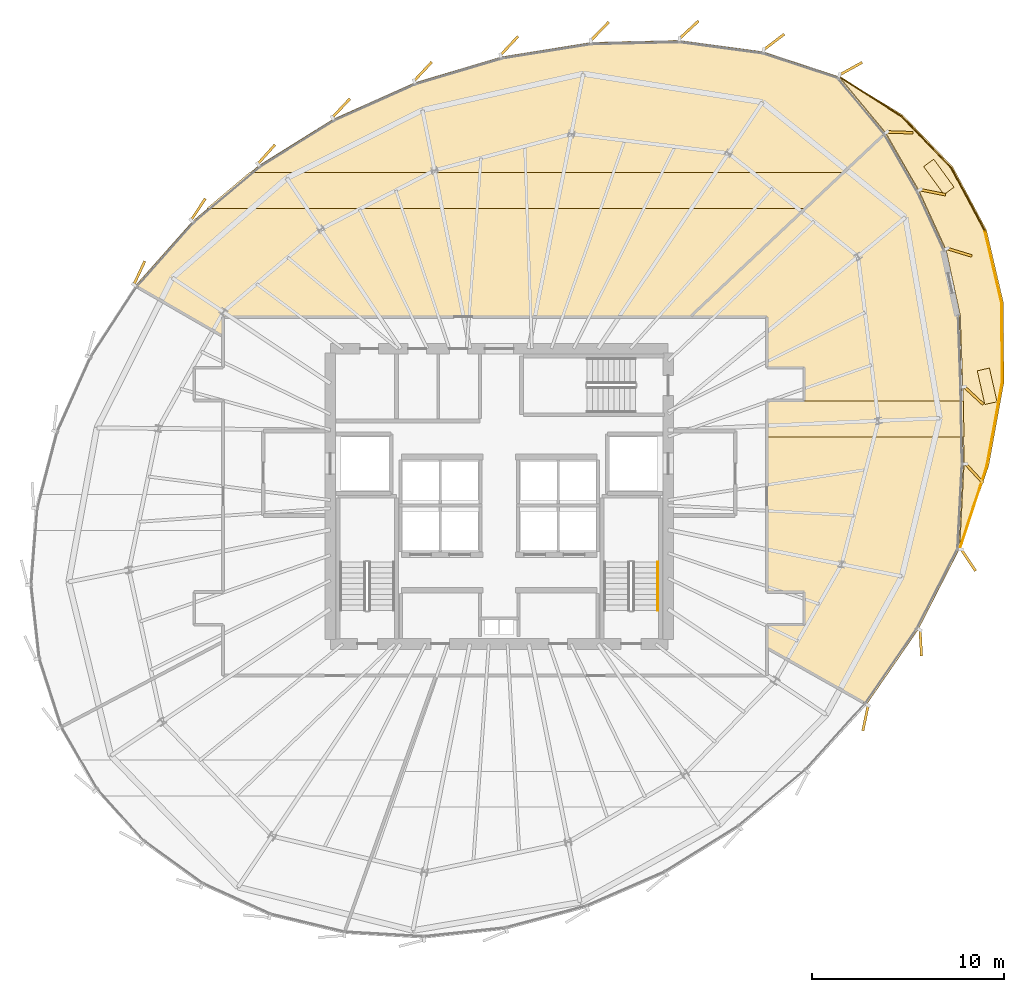
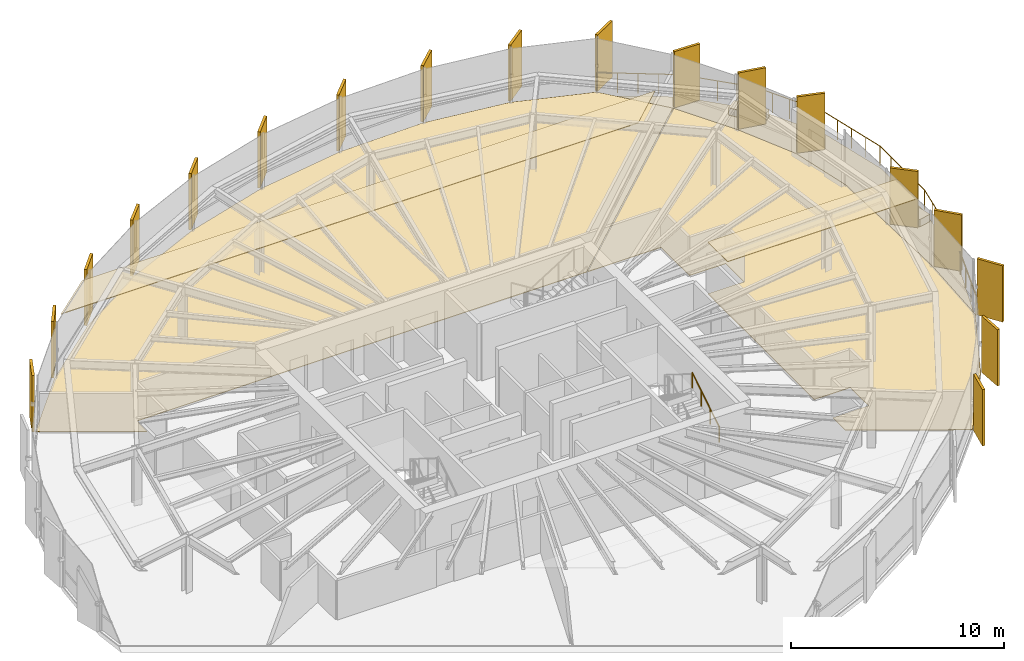
# One storey, part 35 of 35: 25 coverings, 8 railings.
"""IFC4 building model written with IfcOpenShell, lengths in metres."""

from ifc_helpers import new_model, si_unit, direction, frame, origin, origin_2d, place, context, subcontext, project, spatial, polyline, rectangle, circle, outline, extrude, source, transform, mapped, material, layer, layer_set, type_object, element, save


model = new_model("IFC4")

# Units and contexts
model_context = context("Model", 3, precision=1e-05, world=origin(), true_north=direction((0.0, 1.0)))
body_context = subcontext(model_context, "Body", "Model", "MODEL_VIEW")
ifc_project = project(units=[si_unit("LENGTHUNIT", "METRE"), si_unit("AREAUNIT", "SQUARE_METRE"), si_unit("VOLUMEUNIT", "CUBIC_METRE"), si_unit("PLANEANGLEUNIT", "RADIAN"), si_unit("MASSUNIT", "GRAM", prefix="KILO"), si_unit("THERMODYNAMICTEMPERATUREUNIT", "KELVIN")], contexts=[model_context])

# Site, building, storey
site_placement = place(None, origin())
site = spatial("IfcSite", under=ifc_project, at=site_placement, CompositionType="ELEMENT")
building_placement = place(site_placement, origin())
building = spatial("IfcBuilding", under=site, at=building_placement, Name="Kethvar Cultural Tower", CompositionType="ELEMENT")
storey_placement = place(building_placement, frame((0.0, 0.0, 179.89990234375)))
storey = spatial("IfcBuildingStorey", under=building, at=storey_placement, Name="L46", CompositionType="ELEMENT", Elevation=179.89990234375)

# Coverings
ifc_material_1 = material(Name="Acoustic Mineral Fibre Ceiling")
ifc_layer_1 = layer(ifc_material_1, 0.0400390625, Name="Acoustic Mineral Fibre Ceiling")
ifc_layer_set_1 = layer_set([ifc_layer_1], Name="Acoustic Mineral Fibre Ceiling (40 mm)")
covering_type_1 = type_object("IfcCoveringType", Name="CV-ACOUSTIC-CEIL", PredefinedType="CEILING", material=ifc_layer_set_1)
covering_1_placement = place(storey_placement, frame((0.0, 0.0, 3.0)))
element("IfcCovering", 1, at=covering_1_placement, inside=storey, type_object=covering_type_1, Name="L46 Room 03 Acoustic Ceiling Panel", PredefinedType="CEILING", context=body_context, shape_type="SweptSolid", body=[
    extrude(outline(polyline([(71.02490234375, 30.883056640625), (60.72998046875, 30.883056640625), (60.72998046875, 32.7529296875), (70.99267578125, 32.7529296875), (71.02490234375, 30.883056640625)])), origin(), (0.0, 0.0, 1.0), 0.0400390625),
])
covering_2_placement = place(storey_placement, frame((0.0, 0.0, 3.0)))
element("IfcCovering", 2, at=covering_2_placement, inside=storey, type_object=covering_type_1, Name="L46 Room 04 Acoustic Ceiling Panel", PredefinedType="CEILING", context=body_context, shape_type="SweptSolid", body=[
    extrude(outline(polyline([(33.759765625, 44.6640625), (64.769287109375, 44.6640625), (62.77978515625, 42.7939453125), (31.539306640625, 42.7939453125), (33.759765625, 44.6640625)])), origin(), (0.0, 0.0, 1.0), 0.0400390625),
])
ifc_material_2 = material(Name="Insulated Waterproofing Membrane")
ifc_layer_2 = layer(ifc_material_2, 0.06005859375, Name="Insulated Waterproofing Membrane")
ifc_layer_set_2 = layer_set([ifc_layer_2], Name="Insulated Waterproofing Membrane (60 mm)")
covering_type_2 = type_object("IfcCoveringType", Name="CV-ROOF-MEMB", PredefinedType="ROOFING", material=ifc_layer_set_2)
covering_3_placement = place(storey_placement, frame((0.0, 0.0, -0.27490234375)))
element("IfcCovering", 3, at=covering_3_placement, inside=storey, type_object=covering_type_2, Name="L46 Terrace Waterproofing", PredefinedType="ROOFING", context=body_context, shape_type="SweptSolid", body=[
    extrude(outline(polyline([(70.796875, 25.033935546875), (72.318359375, 29.3896484375), (73.110107421875, 33.730224609375), (73.089111328125, 37.881103515625), (72.203125, 41.677490234375), (70.44287109375, 44.9775390625), (67.84814453125, 47.67138671875), (64.511474609375, 49.687255859375), (66.950439453125, 46.74169921875), (68.693603515625, 43.706787109375), (70.091064453125, 40.647216796875), (70.830078125, 37.2333984375), (70.959716796875, 33.50439453125), (71.02880859375, 29.47998046875), (70.796875, 25.033935546875)])), origin(), (0.0, 0.0, 1.0), 0.06005859375),
])
ifc_material_3 = material(Name="Honed Warm Limestone", Category="masonry")
ifc_layer_3 = layer(ifc_material_3, 0.030029296875, Name="Honed Warm Limestone", Category="masonry")
ifc_layer_set_3 = layer_set([ifc_layer_3], Name="Honed Warm Limestone (30 mm)")
covering_type_3 = type_object("IfcCoveringType", Name="CV-STONE-FLOOR", PredefinedType="FLOORING", material=ifc_layer_set_3)
covering_4_placement = place(storey_placement, origin())
element("IfcCovering", 4, at=covering_4_placement, inside=storey, type_object=covering_type_3, Name="L46 Room 03 Floor Finish", PredefinedType="FLOORING", context=body_context, shape_type="SweptSolid", body=[
    extrude(outline(polyline([(70.810302734375, 37.230712890625), (71.0087890625, 29.480224609375), (70.777099609375, 25.039306640625), (68.627197265625, 20.843994140625), (65.955322265625, 16.96826171875), (60.77001953125, 19.90673828125), (60.77001953125, 21.080078125), (62.719970703125, 21.097900390625), (62.712646484375, 22.8154296875), (60.77001953125, 22.820068359375), (60.77001953125, 32.780029296875), (62.712646484375, 32.784423828125), (62.718505859375, 34.5078125), (60.77001953125, 34.52001953125), (60.7578125, 37.16845703125), (56.797119140625, 37.169921875), (66.94580078125, 46.7099609375), (68.67578125, 43.697509765625), (70.072021484375, 40.640869140625), (70.810302734375, 37.230712890625)])), origin(), (0.0, 0.0, 1.0), 0.030029296875),
])
covering_5_placement = place(storey_placement, origin())
element("IfcCovering", 5, at=covering_5_placement, inside=storey, type_object=covering_type_3, Name="L46 Room 04 Floor Finish", PredefinedType="FLOORING", context=body_context, shape_type="SweptSolid", body=[
    extrude(outline(polyline([(30.808837890625, 42.126708984375), (34.272216796875, 45.043212890625), (38.148681640625, 47.45947265625), (42.401611328125, 49.360107421875), (46.929443359375, 50.70849609375), (51.586669921875, 51.45703125), (56.1962890625, 51.55810546875), (60.56591796875, 50.97021484375), (64.499755859375, 49.669921875), (66.923095703125, 46.743408203125), (56.73876953125, 37.169921875), (32.39990234375, 37.169921875), (32.3798828125, 36.16845703125), (27.8466796875, 38.7919921875), (30.808837890625, 42.126708984375)])), origin(), (0.0, 0.0, 1.0), 0.030029296875),
])

# Railings
ifc_material_4 = material(Name="Steel S355J2", Category="steel")
railing_type_1 = type_object("IfcRailingType", Name="RL-EXT-GUARD-1150", PredefinedType="BALUSTRADE", material=ifc_material_4)
railing_1_placement = place(storey_placement, frame((70.796875, 25.033935546875, 0.0)))
element("IfcRailing", 6, at=railing_1_placement, inside=storey, type_object=railing_type_1, Name="L46 Spiralling Terrace Balustrade 01", PredefinedType="BALUSTRADE", context=body_context, shape_type="SweptSolid", body=[
    extrude(circle(Radius=0.02392578125, at=origin_2d()), frame((0.0, 0.0, 1.1259765625), z_axis=(0.310668408775, 0.95051835321, 0.0), x_axis=(-0.95051835321, 0.310668408775, 0.0)), (0.0, 0.0, 1.0), 4.575927734375),
    extrude(circle(Radius=0.02099609375, at=origin_2d()), origin(), (0.0, 0.0, 1.0), 1.101806640625),
    extrude(circle(Radius=0.02099609375, at=origin_2d()), frame((0.35546875, 1.08740234375, 0.0)), (0.0, 0.0, 1.0), 1.101806640625),
    extrude(circle(Radius=0.02099609375, at=origin_2d()), frame((0.7109375, 2.1748046875, 0.0)), (0.0, 0.0, 1.0), 1.101806640625),
    extrude(circle(Radius=0.02099609375, at=origin_2d()), frame((1.066162109375, 3.26220703125, 0.0)), (0.0, 0.0, 1.0), 1.101806640625),
    extrude(circle(Radius=0.02099609375, at=origin_2d()), frame((1.421630859375, 4.349609375, 0.0)), (0.0, 0.0, 1.0), 1.101806640625),
])
railing_2_placement = place(storey_placement, frame((72.218505859375, 29.383544921875, 0.0)))
element("IfcRailing", 7, at=railing_2_placement, inside=storey, type_object=railing_type_1, Name="L46 Spiralling Terrace Balustrade 02", PredefinedType="BALUSTRADE", context=body_context, shape_type="SweptSolid", body=[
    extrude(circle(Radius=0.02392578125, at=origin_2d()), frame((0.0, 0.0, 1.1259765625), z_axis=(0.180566018017, 0.983562866896, 0.0), x_axis=(-0.983562866896, 0.180566018017, 0.0)), (0.0, 0.0, 1.0), 4.39697265625),
    extrude(circle(Radius=0.02099609375, at=origin_2d()), origin(), (0.0, 0.0, 1.0), 1.101806640625),
    extrude(circle(Radius=0.02099609375, at=origin_2d()), frame((0.198486328125, 1.0810546875, 0.0)), (0.0, 0.0, 1.0), 1.101806640625),
    extrude(circle(Radius=0.02099609375, at=origin_2d()), frame((0.39697265625, 2.162353515625, 0.0)), (0.0, 0.0, 1.0), 1.101806640625),
    extrude(circle(Radius=0.02099609375, at=origin_2d()), frame((0.595458984375, 3.24365234375, 0.0)), (0.0, 0.0, 1.0), 1.101806640625),
    extrude(circle(Radius=0.02099609375, at=origin_2d()), frame((0.7939453125, 4.32470703125, 0.0)), (0.0, 0.0, 1.0), 1.101806640625),
])
railing_3_placement = place(storey_placement, frame((73.012451171875, 33.708251953125, 0.0)))
element("IfcRailing", 8, at=railing_3_placement, inside=storey, type_object=railing_type_1, Name="L46 Spiralling Terrace Balustrade 03", PredefinedType="BALUSTRADE", context=body_context, shape_type="SweptSolid", body=[
    extrude(circle(Radius=0.02392578125, at=origin_2d()), frame((0.0, 0.0, 1.1259765625), z_axis=(-0.004071963881, 0.999991709521, 0.0), x_axis=(-0.999991709521, -0.004071963881, 0.0)), (0.0, 0.0, 1.0), 4.136962890625),
    extrude(circle(Radius=0.02099609375, at=origin_2d()), origin(), (0.0, 0.0, 1.0), 1.101806640625),
    extrude(circle(Radius=0.02099609375, at=origin_2d()), frame((-0.004150390625, 1.0341796875, 0.0)), (0.0, 0.0, 1.0), 1.101806640625),
    extrude(circle(Radius=0.02099609375, at=origin_2d()), frame((-0.00830078125, 2.068359375, 0.0)), (0.0, 0.0, 1.0), 1.101806640625),
    extrude(circle(Radius=0.02099609375, at=origin_2d()), frame((-0.0126953125, 3.102783203125, 0.0)), (0.0, 0.0, 1.0), 1.101806640625),
    extrude(circle(Radius=0.02099609375, at=origin_2d()), frame((-0.016845703125, 4.136962890625, 0.0)), (0.0, 0.0, 1.0), 1.101806640625),
])
railing_4_placement = place(storey_placement, frame((72.99560546875, 37.84521484375, 0.0)))
element("IfcRailing", 9, at=railing_4_placement, inside=storey, type_object=railing_type_1, Name="L46 Spiralling Terrace Balustrade 04", PredefinedType="BALUSTRADE", context=body_context, shape_type="SweptSolid", body=[
    extrude(circle(Radius=0.02392578125, at=origin_2d()), frame((0.0, 0.0, 1.1259765625), z_axis=(-0.226534290453, 0.974003190574, 0.0), x_axis=(-0.974003190574, -0.226534290453, 0.0)), (0.0, 0.0, 1.0), 3.88525390625),
    extrude(circle(Radius=0.02099609375, at=origin_2d()), origin(), (0.0, 0.0, 1.0), 1.101806640625),
    extrude(circle(Radius=0.02099609375, at=origin_2d()), frame((-0.219970703125, 0.946044921875, 0.0)), (0.0, 0.0, 1.0), 1.101806640625),
    extrude(circle(Radius=0.02099609375, at=origin_2d()), frame((-0.43994140625, 1.89208984375, 0.0)), (0.0, 0.0, 1.0), 1.101806640625),
    extrude(circle(Radius=0.02099609375, at=origin_2d()), frame((-0.66015625, 2.838134765625, 0.0)), (0.0, 0.0, 1.0), 1.101806640625),
    extrude(circle(Radius=0.02099609375, at=origin_2d()), frame((-0.880126953125, 3.7841796875, 0.0)), (0.0, 0.0, 1.0), 1.101806640625),
])
railing_5_placement = place(storey_placement, frame((72.115478515625, 41.62939453125, 0.0)))
element("IfcRailing", 10, at=railing_5_placement, inside=storey, type_object=railing_type_1, Name="L46 Spiralling Terrace Balustrade 05", PredefinedType="BALUSTRADE", context=body_context, shape_type="SweptSolid", body=[
    extrude(circle(Radius=0.02392578125, at=origin_2d()), frame((0.0, 0.0, 1.1259765625), z_axis=(-0.47045565217, 0.882423639383, 0.0), x_axis=(-0.882423639383, -0.47045565217, 0.0)), (0.0, 0.0, 1.0), 3.7275390625),
    extrude(circle(Radius=0.02099609375, at=origin_2d()), origin(), (0.0, 0.0, 1.0), 1.101806640625),
    extrude(circle(Radius=0.02099609375, at=origin_2d()), frame((-0.4384765625, 0.822265625, 0.0)), (0.0, 0.0, 1.0), 1.101806640625),
    extrude(circle(Radius=0.02099609375, at=origin_2d()), frame((-0.876953125, 1.64453125, 0.0)), (0.0, 0.0, 1.0), 1.101806640625),
    extrude(circle(Radius=0.02099609375, at=origin_2d()), frame((-1.315185546875, 2.467041015625, 0.0)), (0.0, 0.0, 1.0), 1.101806640625),
    extrude(circle(Radius=0.02099609375, at=origin_2d()), frame((-1.753662109375, 3.289306640625, 0.0)), (0.0, 0.0, 1.0), 1.101806640625),
])
railing_6_placement = place(storey_placement, frame((70.36181640625, 44.918701171875, 0.0)))
element("IfcRailing", 11, at=railing_6_placement, inside=storey, type_object=railing_type_1, Name="L46 Spiralling Terrace Balustrade 06", PredefinedType="BALUSTRADE", context=body_context, shape_type="SweptSolid", body=[
    extrude(circle(Radius=0.02392578125, at=origin_2d()), frame((0.0, 0.0, 1.1259765625), z_axis=(-0.69388583122, 0.720085031946, 0.0), x_axis=(-0.720085031946, -0.69388583122, 0.0)), (0.0, 0.0, 1.0), 3.7275390625),
    extrude(circle(Radius=0.02099609375, at=origin_2d()), origin(), (0.0, 0.0, 1.0), 1.101806640625),
    extrude(circle(Radius=0.02099609375, at=origin_2d()), frame((-0.646484375, 0.6708984375, 0.0)), (0.0, 0.0, 1.0), 1.101806640625),
    extrude(circle(Radius=0.02099609375, at=origin_2d()), frame((-1.293212890625, 1.342041015625, 0.0)), (0.0, 0.0, 1.0), 1.101806640625),
    extrude(circle(Radius=0.02099609375, at=origin_2d()), frame((-1.93994140625, 2.01318359375, 0.0)), (0.0, 0.0, 1.0), 1.101806640625),
    extrude(circle(Radius=0.02099609375, at=origin_2d()), frame((-2.58642578125, 2.68408203125, 0.0)), (0.0, 0.0, 1.0), 1.101806640625),
])
railing_7_placement = place(storey_placement, frame((67.775390625, 47.602783203125, 0.0)))
element("IfcRailing", 12, at=railing_7_placement, inside=storey, type_object=railing_type_1, Name="L46 Spiralling Terrace Balustrade 07", PredefinedType="BALUSTRADE", context=body_context, shape_type="SweptSolid", body=[
    extrude(circle(Radius=0.02392578125, at=origin_2d()), frame((0.0, 0.0, 1.1259765625), z_axis=(-0.842790790561, 0.538241287292, 0.0), x_axis=(-0.538241287292, -0.842790790561, 0.0)), (0.0, 0.0, 1.0), 3.872802734375),
    extrude(circle(Radius=0.02099609375, at=origin_2d()), origin(), (0.0, 0.0, 1.0), 1.101806640625),
    extrude(circle(Radius=0.02099609375, at=origin_2d()), frame((-0.81591796875, 0.52099609375, 0.0)), (0.0, 0.0, 1.0), 1.101806640625),
    extrude(circle(Radius=0.02099609375, at=origin_2d()), frame((-1.6318359375, 1.042236328125, 0.0)), (0.0, 0.0, 1.0), 1.101806640625),
    extrude(circle(Radius=0.02099609375, at=origin_2d()), frame((-2.447998046875, 1.5634765625, 0.0)), (0.0, 0.0, 1.0), 1.101806640625),
    extrude(circle(Radius=0.02099609375, at=origin_2d()), frame((-3.263916015625, 2.08447265625, 0.0)), (0.0, 0.0, 1.0), 1.101806640625),
])
railing_type_2 = type_object("IfcRailingType", Name="RL-STAIR-HANDRAIL", PredefinedType="HANDRAIL", material=ifc_material_4)
railing_8_placement = place(storey_placement, frame((55.06005859375, 21.85009765625, 0.175048828125)))
element("IfcRailing", 13, at=railing_8_placement, inside=storey, type_object=railing_type_2, Name="L46 ST-02 stair handrail 1", PredefinedType="HANDRAIL", context=body_context, shape_type="SweptSolid", body=[
    extrude(circle(Radius=0.02392578125, at=origin_2d()), frame((0.0, 0.0, 0.8759765625), z_axis=(0.0, 0.848007534815, 0.529984170421), x_axis=(-1.0, 0.0, 0.0)), (0.0, 0.0, 1.0), 2.9716796875),
    extrude(circle(Radius=0.02099609375, at=origin_2d()), origin(), (0.0, 0.0, 1.0), 0.851806640625),
    extrude(circle(Radius=0.02099609375, at=origin_2d()), frame((0.0, 0.840087890625, 0.52490234375)), (0.0, 0.0, 1.0), 0.851806640625),
    extrude(circle(Radius=0.02099609375, at=origin_2d()), frame((0.0, 1.679931640625, 1.050048828125)), (0.0, 0.0, 1.0), 0.851806640625),
    extrude(circle(Radius=0.02099609375, at=origin_2d()), frame((0.0, 2.52001953125, 1.574951171875)), (0.0, 0.0, 1.0), 0.851806640625),
])

# Coverings
ifc_material_5 = material(Name="Extruded Architectural Terracotta", Category="masonry")
ifc_layer_4 = layer(ifc_material_5, 0.419921875, Name="Extruded Architectural Terracotta", Category="masonry")
ifc_layer_set_4 = layer_set([ifc_layer_4], Name="Extruded Architectural Terracotta (420 mm)")
covering_type_4 = type_object("IfcCoveringType", Name="Terracotta Terrace Planter PLANTER-01", PredefinedType="USERDEFINED", material=ifc_layer_set_4)
shared_shape_1 = source(origin(), body_context, "Body", "SweptSolid", [
    extrude(rectangle(XDim=1.800048828125, YDim=0.64990234375, at=origin_2d()), origin(), (0.0, 0.0, 1.0), 0.419921875),
])
for number, where, z_axis, x_axis, name in (
    (14, (72.23193359375, 33.532470703125, 0.000244140625), (0.0, 0.0, 1.0), (-0.219846204353, 0.975534543946, 0.0), "L46 Sky Terrace Planter Box A"),
    (15, (69.714599609375, 44.448486328125, 0.000244140625), (0.0, 0.0, 1.0), (-0.587785252292, 0.809016994375, 0.0), "L46 Sky Terrace Planter Box B"),
):
    element("IfcCovering", number, at=place(storey_placement, frame(where, z_axis=z_axis, x_axis=x_axis)), inside=storey, type_object=covering_type_4, Name=name, ObjectType="PLANTER", PredefinedType="USERDEFINED", context=body_context, shape_type="MappedRepresentation", body=[
        mapped(shared_shape_1, transform((0.0, 0.0, 0.0), scale=1.0)),
    ])
ifc_layer_5 = layer(ifc_material_5, 0.135009765625, Name="Extruded Architectural Terracotta", Category="masonry")
ifc_layer_set_5 = layer_set([ifc_layer_5], Name="Extruded Architectural Terracotta (135 mm)")
covering_type_5 = type_object("IfcCoveringType", Name="Terracotta Facade Fin FIN-03", PredefinedType="CLADDING", material=ifc_layer_set_5)
shared_shape_2 = source(origin(), body_context, "Body", "SweptSolid", [
    extrude(rectangle(XDim=1.35009765625, YDim=0.135009765625, at=origin_2d()), origin(), (0.0, 0.0, 1.0), 3.219970703125),
])
for number, where, z_axis, x_axis, name in (
    (16, (69.405517578125, 43.648193359375, 0.02001953125), (0.0, 0.0, 1.0), (0.980648842665, -0.195774991714, 0.0), "L46 Vertical Terracotta Fin 1.1"),
    (17, (67.686767578125, 46.770263671875, 0.02001953125), (0.0, 0.0, 1.0), (0.999444414049, -0.033329614852, 0.0), "L46 Vertical Terracotta Fin 1.2"),
    (18, (65.127197265625, 50.090087890625, 0.02001953125), (0.0, 0.0, 1.0), (0.874957954937, 0.484198902407, 0.0), "L46 Vertical Terracotta Fin 1.3"),
    (19, (61.1171875, 51.47900390625, 0.02001953125), (0.0, 0.0, 1.0), (0.794520615517, 0.607237178966, 0.0), "L46 Vertical Terracotta Fin 1.4"),
    (20, (56.690185546875, 52.117431640625, 0.02001953125), (0.0, 0.0, 1.0), (0.732661695834, 0.680593005737, 0.0), "L46 Vertical Terracotta Fin 1.5"),
    (21, (52.0419921875, 52.040771484375, 0.02001953125), (0.0, 0.0, 1.0), (0.695912796592, 0.718126297763, 0.0), "L46 Vertical Terracotta Fin 1.6"),
    (22, (47.32568359375, 51.28662109375, 0.02001953125), (0.0, 0.0, 1.0), (0.682891367963, 0.730519937827, 0.0), "L46 Vertical Terracotta Fin 2.1"),
    (23, (42.82275390625, 49.9453125, 0.02001953125), (0.0, 0.0, 1.0), (0.682763857781, 0.730639113728, 0.0), "L46 Vertical Terracotta Fin 2.2"),
    (24, (38.558837890625, 48.037109375, 0.02001953125), (0.0, 0.0, 1.0), (0.684292606175, 0.729207535023, 0.0), "L46 Vertical Terracotta Fin 2.3"),
    (25, (34.659423828125, 45.623291015625, 0.02001953125), (0.0, 0.0, 1.0), (0.667702638429, 0.744428093663, 0.0), "L46 Vertical Terracotta Fin 2.4"),
    (26, (31.108642578125, 42.75634765625, 0.02001953125), (0.0, 0.0, 1.0), (0.553536912995, 0.832824642979, 0.0), "L46 Vertical Terracotta Fin 2.5"),
    (27, (28.03466796875, 39.44189453125, 0.02001953125), (0.0, 0.0, 1.0), (0.423883293765, 0.90571681737, 0.0), "L46 Vertical Terracotta Fin 2.6"),
    (28, (65.889892578125, 16.235595703125, 0.02001953125), (0.0, 0.0, 1.0), (-0.20364175114, -0.979045472485, 0.0), "L46 Vertical Terracotta Fin 5.6"),
    (29, (68.772216796875, 20.157958984375, 0.02001953125), (0.0, 0.0, 1.0), (0.0577382696, -0.99833175459, 0.0), "L46 Vertical Terracotta Fin 6.1"),
    (30, (71.25146484375, 24.468505859375, 0.02001953125), (0.0, 0.0, 1.0), (0.555134800412, -0.831760394207, 0.0), "L46 Vertical Terracotta Fin 6.2"),
    (31, (71.567138671875, 28.985595703125, 0.02001953125), (0.0, 0.0, 1.0), (0.678928898649, -0.734204025172, 0.0), "L46 Vertical Terracotta Fin 6.3"),
    (32, (71.53515625, 33.048583984375, 0.02001953125), (0.0, 0.0, 1.0), (0.733966989553, -0.679185142834, 0.0), "L46 Vertical Terracotta Fin 6.4"),
    (33, (70.793212890625, 40.518798828125, 0.02001953125), (0.0, 0.0, 1.0), (0.956457710334, -0.291870944669, 0.0), "L46 Vertical Terracotta Fin 7.1"),
):
    element("IfcCovering", number, at=place(storey_placement, frame(where, z_axis=z_axis, x_axis=x_axis)), inside=storey, type_object=covering_type_5, Name=name, PredefinedType="CLADDING", context=body_context, shape_type="MappedRepresentation", body=[
        mapped(shared_shape_2, transform((0.0, 0.0, 0.0), scale=1.0)),
    ])

save(model, "model.ifc")
